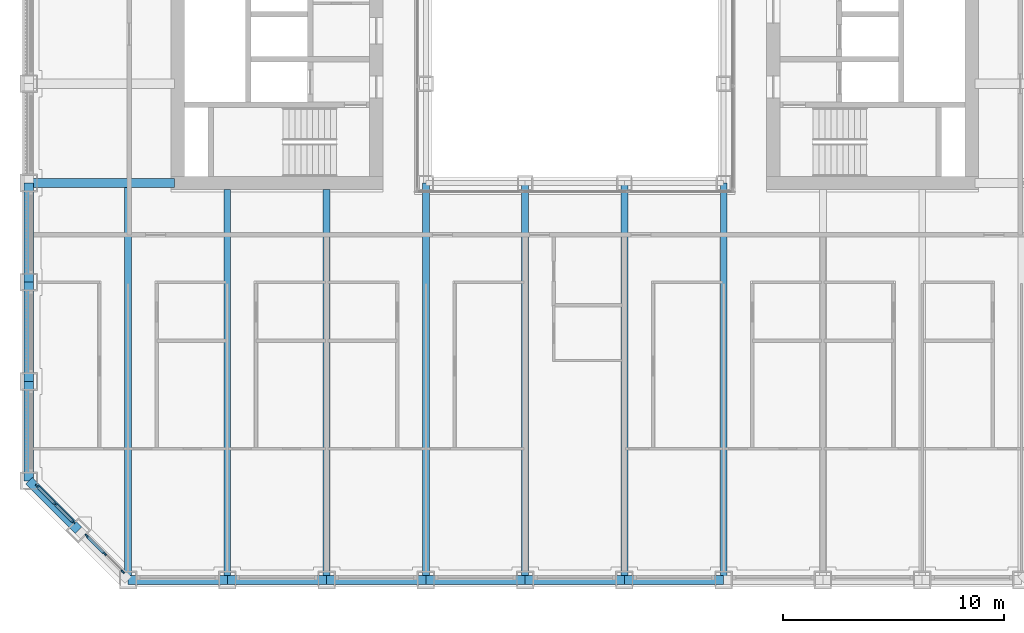
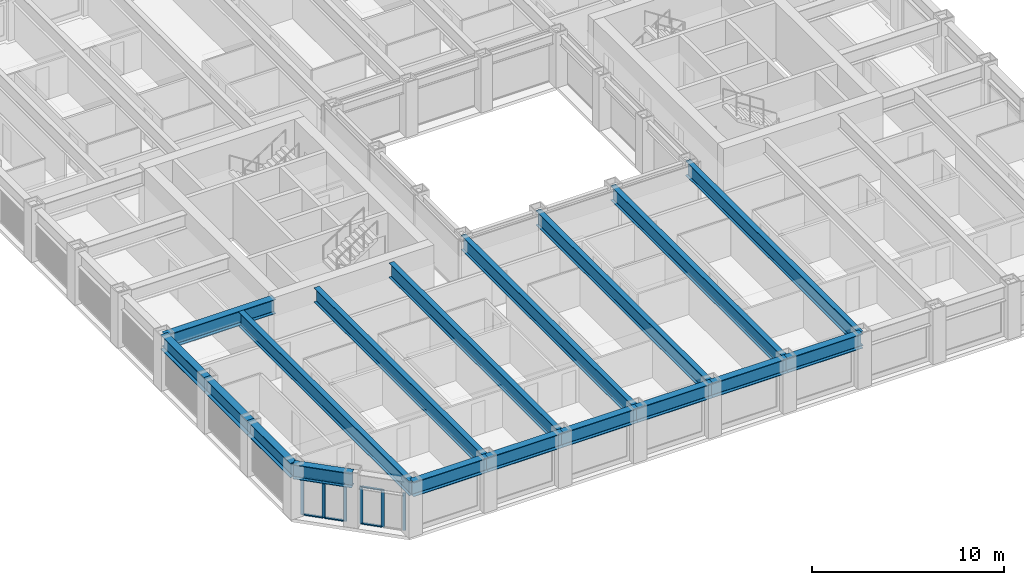
# One storey, part 2 of 20: 18 beams, 12 members, 2 elements without a shape of their own.
"""IFC4 building model written with IfcOpenShell, lengths in metres."""

from ifc_helpers import new_model, si_unit, direction, frame, origin, origin_2d, place, context, subcontext, project, spatial, rectangle, i_section, extrude, material, material_profile, profile_set, type_object, element, aggregate, save


model = new_model("IFC4")

# Units and contexts
model_context = context("Model", 3, precision=1e-05, world=origin(), true_north=direction((0.0, 1.0)))
body_context = subcontext(model_context, "Body", "Model", "MODEL_VIEW")
ifc_project = project(units=[si_unit("LENGTHUNIT", "METRE"), si_unit("AREAUNIT", "SQUARE_METRE"), si_unit("VOLUMEUNIT", "CUBIC_METRE"), si_unit("PLANEANGLEUNIT", "RADIAN"), si_unit("MASSUNIT", "GRAM", prefix="KILO")], contexts=[model_context])

# Site, building, storey
site_placement = place(None, origin())
site = spatial("IfcSite", under=ifc_project, at=site_placement, CompositionType="ELEMENT")
building_placement = place(site_placement, origin())
building = spatial("IfcBuilding", under=site, at=building_placement, Name="Msasa Ring Tower", CompositionType="ELEMENT")
storey_placement = place(building_placement, frame((0.0, 0.0, 65.0)))
storey = spatial("IfcBuildingStorey", under=building, at=storey_placement, Name="L16", CompositionType="ELEMENT", Elevation=65.0)

# Curtain wall, members
ifc_material_1 = material(Name="Aluminium curtain wall with clear glass", Category="aluminium")
curtain_wall_type = type_object("IfcCurtainWallType", Name="CW-C CHAMFER CORNER CURTAIN WALL", PredefinedType="NOTDEFINED", material=ifc_material_1)
curtain_wall_1_placement = place(storey_placement, origin())
curtain_wall_1 = element("IfcCurtainWall", 1, at=curtain_wall_1_placement, inside=storey, type_object=curtain_wall_type, Name="Chamfer corner curtain wall SW L16", PredefinedType="NOTDEFINED")
ifc_material_2 = material(Name="Aluminium mullion", Category="aluminium")
ifc_material_profile_1 = material_profile(ifc_material_2, rectangle(XDim=0.06494140625, YDim=0.179931640625, at=origin_2d()), Name="AL 65x180")
ifc_profile_set_1 = profile_set([ifc_material_profile_1], Name="Aluminium mullion")
member_type_1 = type_object("IfcMemberType", Name="CW-C MULLION 65x180", PredefinedType="MULLION", material=ifc_profile_set_1)
member_1_placement = place(storey_placement, frame((-24.369873046875, -20.48876953125, 0.0), z_axis=(0.0, 0.0, 1.0), x_axis=(0.707106781187, 0.707106781187, 0.0)))
member_1 = element("IfcMember", 2, at=member_1_placement, type_object=member_type_1, Name="CW-C mullion 1", PredefinedType="MULLION", context=body_context, shape_type="SweptSolid", body=[
    extrude(rectangle(XDim=0.06494140625, YDim=0.179931640625, at=origin_2d()), origin(), (0.0, 0.0, 1.0), 2.37890625),
])
member_2_placement = place(storey_placement, frame((-23.55419921875, -21.30419921875, 0.0), z_axis=(0.0, 0.0, 1.0), x_axis=(0.707106781187, 0.707106781187, 0.0)))
member_2 = element("IfcMember", 3, at=member_2_placement, type_object=member_type_1, Name="CW-C mullion 2", PredefinedType="MULLION", context=body_context, shape_type="SweptSolid", body=[
    extrude(rectangle(XDim=0.06494140625, YDim=0.179931640625, at=origin_2d()), origin(), (0.0, 0.0, 1.0), 2.37890625),
])
member_3_placement = place(storey_placement, frame((-22.73876953125, -22.119873046875, 0.0), z_axis=(0.0, 0.0, 1.0), x_axis=(0.707106781187, 0.707106781187, 0.0)))
member_3 = element("IfcMember", 4, at=member_3_placement, type_object=member_type_1, Name="CW-C mullion 3", PredefinedType="MULLION", context=body_context, shape_type="SweptSolid", body=[
    extrude(rectangle(XDim=0.06494140625, YDim=0.179931640625, at=origin_2d()), origin(), (0.0, 0.0, 1.0), 2.37890625),
])

curtain_wall_2_placement = place(storey_placement, origin())
curtain_wall_2 = element("IfcCurtainWall", 5, at=curtain_wall_2_placement, inside=storey, type_object=curtain_wall_type, Name="Chamfer corner curtain wall SW L16", PredefinedType="NOTDEFINED")
member_4_placement = place(storey_placement, frame((-22.119873046875, -22.73876953125, 0.0), z_axis=(0.0, 0.0, 1.0), x_axis=(0.707106781187, 0.707106781187, 0.0)))
member_4 = element("IfcMember", 6, at=member_4_placement, type_object=member_type_1, Name="CW-C mullion 1", PredefinedType="MULLION", context=body_context, shape_type="SweptSolid", body=[
    extrude(rectangle(XDim=0.06494140625, YDim=0.179931640625, at=origin_2d()), origin(), (0.0, 0.0, 1.0), 2.37890625),
])
member_5_placement = place(storey_placement, frame((-21.30419921875, -23.55419921875, 0.0), z_axis=(0.0, 0.0, 1.0), x_axis=(0.707106781187, 0.707106781187, 0.0)))
member_5 = element("IfcMember", 7, at=member_5_placement, type_object=member_type_1, Name="CW-C mullion 2", PredefinedType="MULLION", context=body_context, shape_type="SweptSolid", body=[
    extrude(rectangle(XDim=0.06494140625, YDim=0.179931640625, at=origin_2d()), origin(), (0.0, 0.0, 1.0), 2.37890625),
])
member_6_placement = place(storey_placement, frame((-20.48876953125, -24.369873046875, 0.0), z_axis=(0.0, 0.0, 1.0), x_axis=(0.707106781187, 0.707106781187, 0.0)))
member_6 = element("IfcMember", 8, at=member_6_placement, type_object=member_type_1, Name="CW-C mullion 3", PredefinedType="MULLION", context=body_context, shape_type="SweptSolid", body=[
    extrude(rectangle(XDim=0.06494140625, YDim=0.179931640625, at=origin_2d()), origin(), (0.0, 0.0, 1.0), 2.37890625),
])

# Member
ifc_material_3 = material(Name="Aluminium transom", Category="aluminium")
ifc_material_profile_2 = material_profile(ifc_material_3, rectangle(XDim=0.139892578125, YDim=0.06494140625, at=origin_2d()), Name="AL 65x140")
ifc_profile_set_2 = profile_set([ifc_material_profile_2], Name="Aluminium transom")
member_type_2 = type_object("IfcMemberType", Name="CW-C TRANSOM 65x140", PredefinedType="USERDEFINED", material=ifc_profile_set_2)
member_7_placement = place(storey_placement, frame((-24.346923828125, -20.51171875, 0.032470703125), z_axis=(0.707106781187, -0.707106781187, 0.0), x_axis=(0.707106781187, 0.707106781187, 0.0)))
member_7 = element("IfcMember", 9, at=member_7_placement, type_object=member_type_2, Name="CW-C transom 1.1", ObjectType="TRANSOM", PredefinedType="USERDEFINED", context=body_context, shape_type="SweptSolid", body=[
    extrude(rectangle(XDim=0.139892578125, YDim=0.06494140625, at=origin_2d()), origin(), (0.0, 0.0, 1.0), 1.08837890625),
])

member_8_placement = place(storey_placement, frame((-24.346923828125, -20.51171875, 2.346435546875), z_axis=(0.707106781187, -0.707106781187, 0.0), x_axis=(0.707106781187, 0.707106781187, 0.0)))
member_8 = element("IfcMember", 10, at=member_8_placement, type_object=member_type_2, Name="CW-C transom 1.2", ObjectType="TRANSOM", PredefinedType="USERDEFINED", context=body_context, shape_type="SweptSolid", body=[
    extrude(rectangle(XDim=0.139892578125, YDim=0.06494140625, at=origin_2d()), origin(), (0.0, 0.0, 1.0), 1.08837890625),
])

member_9_placement = place(storey_placement, frame((-23.53125, -21.327392578125, 0.032470703125), z_axis=(0.707106781187, -0.707106781187, 0.0), x_axis=(0.707106781187, 0.707106781187, 0.0)))
member_9 = element("IfcMember", 11, at=member_9_placement, type_object=member_type_2, Name="CW-C transom 2.1", ObjectType="TRANSOM", PredefinedType="USERDEFINED", context=body_context, shape_type="SweptSolid", body=[
    extrude(rectangle(XDim=0.139892578125, YDim=0.06494140625, at=origin_2d()), origin(), (0.0, 0.0, 1.0), 1.08837890625),
])

member_10_placement = place(storey_placement, frame((-23.53125, -21.327392578125, 2.346435546875), z_axis=(0.707106781187, -0.707106781187, 0.0), x_axis=(0.707106781187, 0.707106781187, 0.0)))
member_10 = element("IfcMember", 12, at=member_10_placement, type_object=member_type_2, Name="CW-C transom 2.2", ObjectType="TRANSOM", PredefinedType="USERDEFINED", context=body_context, shape_type="SweptSolid", body=[
    extrude(rectangle(XDim=0.139892578125, YDim=0.06494140625, at=origin_2d()), origin(), (0.0, 0.0, 1.0), 1.08837890625),
])

aggregate(curtain_wall_1, [member_1, member_2, member_3, member_7, member_8, member_9, member_10])

member_11_placement = place(storey_placement, frame((-22.096923828125, -22.76171875, 0.032470703125), z_axis=(0.707106781187, -0.707106781187, 0.0), x_axis=(0.707106781187, 0.707106781187, 0.0)))
member_11 = element("IfcMember", 13, at=member_11_placement, type_object=member_type_2, Name="CW-C transom 1.1", ObjectType="TRANSOM", PredefinedType="USERDEFINED", context=body_context, shape_type="SweptSolid", body=[
    extrude(rectangle(XDim=0.139892578125, YDim=0.06494140625, at=origin_2d()), origin(), (0.0, 0.0, 1.0), 1.08837890625),
])

member_12_placement = place(storey_placement, frame((-22.096923828125, -22.76171875, 2.346435546875), z_axis=(0.707106781187, -0.707106781187, 0.0), x_axis=(0.707106781187, 0.707106781187, 0.0)))
member_12 = element("IfcMember", 14, at=member_12_placement, type_object=member_type_2, Name="CW-C transom 1.2", ObjectType="TRANSOM", PredefinedType="USERDEFINED", context=body_context, shape_type="SweptSolid", body=[
    extrude(rectangle(XDim=0.139892578125, YDim=0.06494140625, at=origin_2d()), origin(), (0.0, 0.0, 1.0), 1.08837890625),
])

aggregate(curtain_wall_2, [member_4, member_5, member_6, member_11, member_12])

# Beams
ifc_material_4 = material(Name="Steel S355", Category="steel")
ifc_material_profile_3 = material_profile(ifc_material_4, i_section(OverallWidth=0.3076171875, OverallDepth=0.926513671875, WebThickness=0.01953125, FlangeThickness=0.031982421875, FilletRadius=0.01904296875, at=origin_2d()), Name="UB 914x305x289")
ifc_profile_set_3 = profile_set([ifc_material_profile_3], Name="Steel S355")
beam_type_1 = type_object("IfcBeamType", Name="FB3 UB 914x305x289", PredefinedType="BEAM", material=ifc_profile_set_3)
beam_1_placement = place(storey_placement, frame((-20.25, -24.75, 2.836669921875), z_axis=(0.0, 1.0, 0.0), x_axis=(-1.0, 0.0, 0.0)))
element("IfcBeam", 15, at=beam_1_placement, inside=storey, type_object=beam_type_1, Name="Floor beam S-20.25 under L17", PredefinedType="BEAM", context=body_context, shape_type="SweptSolid", body=[
    extrude(i_section(OverallWidth=0.3076171875, OverallDepth=0.926513671875, WebThickness=0.01953125, FlangeThickness=0.031982421875, FilletRadius=0.01904296875, at=origin_2d()), origin(), (0.0, 0.0, 1.0), 17.789794921875),
])
for number, where, z_axis, x_axis, name in (
    (16, (-15.75, -24.75, 2.836669921875), (0.0, 1.0, 0.0), (-1.0, 0.0, 0.0), "Floor beam S-15.75 under L17"),
    (17, (-11.25, -24.75, 2.836669921875), (0.0, 1.0, 0.0), (-1.0, 0.0, 0.0), "Floor beam S-11.25 under L17"),
):
    element("IfcBeam", number, at=place(storey_placement, frame(where, z_axis=z_axis, x_axis=x_axis)), inside=storey, type_object=beam_type_1, Name=name, PredefinedType="BEAM", context=body_context, shape_type="SweptSolid", body=[
        extrude(i_section(OverallWidth=0.3076171875, OverallDepth=0.926513671875, WebThickness=0.01953125, FlangeThickness=0.031982421875, FilletRadius=0.01904296875, at=origin_2d()), origin(), (0.0, 0.0, 1.0), 17.699951171875),
    ])
for number, where, z_axis, x_axis, name in (
    (18, (-6.75, -24.75, 2.836669921875), (0.0, 1.0, 0.0), (-1.0, 0.0, 0.0), "Floor beam S-6.75 under L17"),
    (19, (-2.25, -24.75, 2.836669921875), (0.0, 1.0, 0.0), (-1.0, 0.0, 0.0), "Floor beam S-2.25 under L17"),
    (20, (2.25, -24.75, 2.836669921875), (0.0, 1.0, 0.0), (-1.0, 0.0, 0.0), "Floor beam S+2.25 under L17"),
    (21, (6.75, -24.75, 2.836669921875), (0.0, 1.0, 0.0), (-1.0, 0.0, 0.0), "Floor beam S+6.75 under L17"),
):
    element("IfcBeam", number, at=place(storey_placement, frame(where, z_axis=z_axis, x_axis=x_axis)), inside=storey, type_object=beam_type_1, Name=name, PredefinedType="BEAM", context=body_context, shape_type="SweptSolid", body=[
        extrude(i_section(OverallWidth=0.3076171875, OverallDepth=0.926513671875, WebThickness=0.01953125, FlangeThickness=0.031982421875, FilletRadius=0.01904296875, at=origin_2d()), origin(), (0.0, 0.0, 1.0), 18.0),
    ])
ifc_material_5 = material(Name="Steel S355", Category="steel")
ifc_material_profile_4 = material_profile(ifc_material_5, i_section(OverallWidth=0.42041015625, OverallDepth=0.9208984375, WebThickness=0.021484375, FlangeThickness=0.03662109375, FilletRadius=0.024169921875, at=origin_2d()), Name="UB 914x419x388")
ifc_profile_set_4 = profile_set([ifc_material_profile_4], Name="Steel S355")
beam_type_2 = type_object("IfcBeamType", Name="GB1 UB 914x419x388", PredefinedType="BEAM", material=ifc_profile_set_4)
beam_2_placement = place(storey_placement, frame((-18.14990234375, -6.75, 2.839599609375), z_axis=(-1.0, 0.0, 0.0), x_axis=(0.0, -1.0, 0.0)))
element("IfcBeam", 22, at=beam_2_placement, inside=storey, type_object=beam_type_2, Name="Girder W -6.75 under L17", PredefinedType="BEAM", context=body_context, shape_type="SweptSolid", body=[
    extrude(i_section(OverallWidth=0.42041015625, OverallDepth=0.9208984375, WebThickness=0.021484375, FlangeThickness=0.03662109375, FilletRadius=0.024169921875, at=origin_2d()), origin(), (0.0, 0.0, 1.0), 6.60009765625),
])
ifc_material_6 = material(Name="Steel S355", Category="steel")
ifc_material_profile_5 = material_profile(ifc_material_6, i_section(OverallWidth=0.42041015625, OverallDepth=0.9208984375, WebThickness=0.021484375, FlangeThickness=0.03662109375, FilletRadius=0.024169921875, at=origin_2d()), Name="UB 914x419x388")
ifc_profile_set_5 = profile_set([ifc_material_profile_5], Name="Steel S355")
beam_type_3 = type_object("IfcBeamType", Name="SB1 UB 914x419x388", PredefinedType="SPANDREL", material=ifc_profile_set_5)
for number, where, z_axis, x_axis, name in (
    (23, (-24.75, -6.75, 2.839599609375), (0.0, -1.0, 0.0), (1.0, 0.0, 0.0), "Spandrel W-6.75 to W-11.25 under L17"),
    (24, (-24.75, -11.25, 2.839599609375), (0.0, -1.0, 0.0), (1.0, 0.0, 0.0), "Spandrel W-11.25 to W-15.75 under L17"),
    (25, (-24.75, -15.75, 2.839599609375), (0.0, -1.0, 0.0), (1.0, 0.0, 0.0), "Spandrel W-15.75 to W-20.25 under L17"),
):
    element("IfcBeam", number, at=place(storey_placement, frame(where, z_axis=z_axis, x_axis=x_axis)), inside=storey, type_object=beam_type_3, Name=name, PredefinedType="SPANDREL", context=body_context, shape_type="SweptSolid", body=[
        extrude(i_section(OverallWidth=0.42041015625, OverallDepth=0.9208984375, WebThickness=0.021484375, FlangeThickness=0.03662109375, FilletRadius=0.024169921875, at=origin_2d()), origin(), (0.0, 0.0, 1.0), 4.5),
    ])
beam_3_placement = place(storey_placement, frame((-24.75, -20.25, 2.839599609375), z_axis=(0.707106781187, -0.707106781187, 0.0), x_axis=(0.707106781187, 0.707106781187, 0.0)))
element("IfcBeam", 26, at=beam_3_placement, inside=storey, type_object=beam_type_3, Name="Spandrel W-20.25 to SW under L17", PredefinedType="SPANDREL", context=body_context, shape_type="SweptSolid", body=[
    extrude(i_section(OverallWidth=0.42041015625, OverallDepth=0.9208984375, WebThickness=0.021484375, FlangeThickness=0.03662109375, FilletRadius=0.024169921875, at=origin_2d()), origin(), (0.0, 0.0, 1.0), 3.181884765625),
])
for number, where, z_axis, x_axis, name in (
    (27, (-20.25, -24.75, 2.839599609375), (1.0, 0.0, 0.0), (0.0, 1.0, 0.0), "Spandrel S-20.25 to S-15.75 under L17"),
    (28, (-15.75, -24.75, 2.839599609375), (1.0, 0.0, 0.0), (0.0, 1.0, 0.0), "Spandrel S-15.75 to S-11.25 under L17"),
    (29, (-11.25, -24.75, 2.839599609375), (1.0, 0.0, 0.0), (0.0, 1.0, 0.0), "Spandrel S-11.25 to S-6.75 under L17"),
    (30, (-6.75, -24.75, 2.839599609375), (1.0, 0.0, 0.0), (0.0, 1.0, 0.0), "Spandrel S-6.75 to S-2.25 under L17"),
    (31, (-2.25, -24.75, 2.839599609375), (1.0, 0.0, 0.0), (0.0, 1.0, 0.0), "Spandrel S-2.25 to S+2.25 under L17"),
    (32, (2.25, -24.75, 2.839599609375), (1.0, 0.0, 0.0), (0.0, 1.0, 0.0), "Spandrel S+2.25 to S+6.75 under L17"),
):
    element("IfcBeam", number, at=place(storey_placement, frame(where, z_axis=z_axis, x_axis=x_axis)), inside=storey, type_object=beam_type_3, Name=name, PredefinedType="SPANDREL", context=body_context, shape_type="SweptSolid", body=[
        extrude(i_section(OverallWidth=0.42041015625, OverallDepth=0.9208984375, WebThickness=0.021484375, FlangeThickness=0.03662109375, FilletRadius=0.024169921875, at=origin_2d()), origin(), (0.0, 0.0, 1.0), 4.5),
    ])

save(model, "model.ifc")
